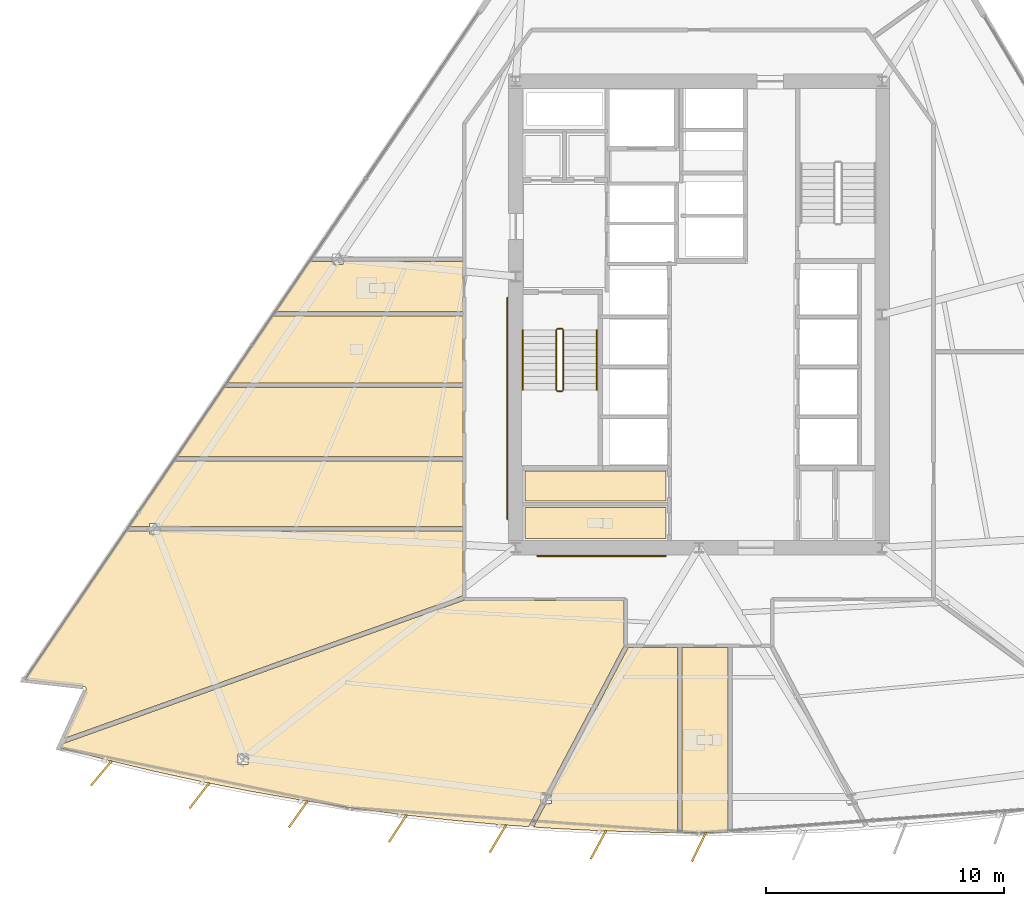
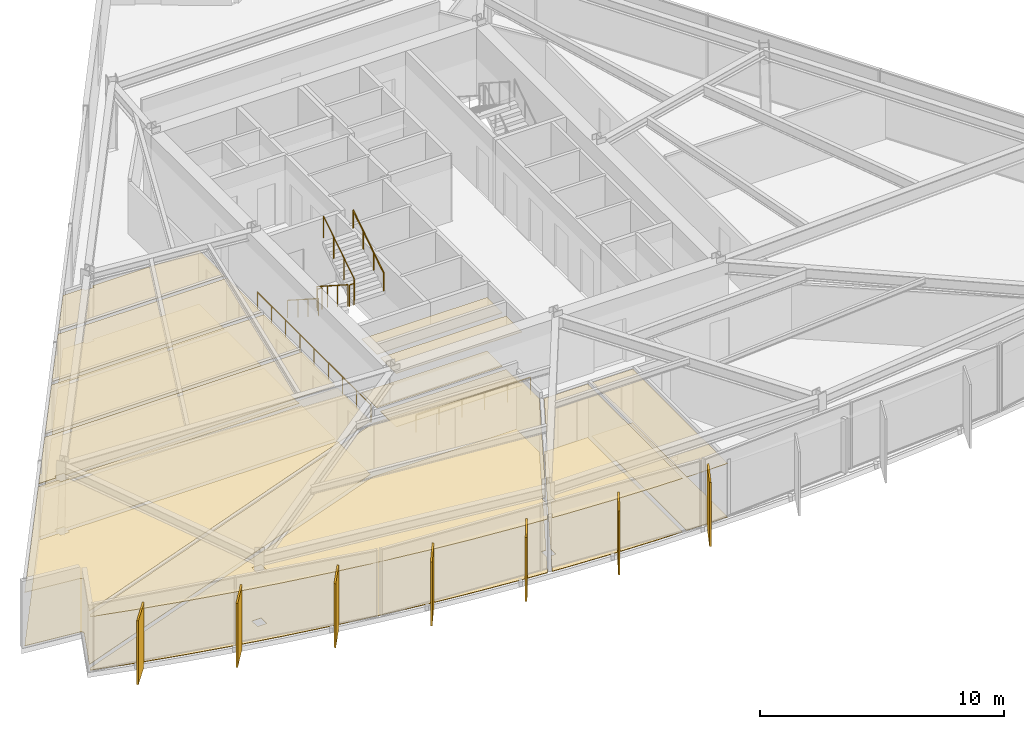
# One storey, part 11 of 15: 20 coverings, 8 railings, 7 shading devices.
"""IFC4 building model written with IfcOpenShell, lengths in metres."""

from ifc_helpers import new_model, si_unit, direction, frame, origin, origin_2d, place, context, subcontext, project, spatial, polyline, rectangle, circle, outline, extrude, material, layer, layer_set, type_object, element, save


model = new_model("IFC4")

# Units and contexts
model_context = context("Model", 3, precision=1e-05, world=origin(), true_north=direction((0.0, 1.0)))
body_context = subcontext(model_context, "Body", "Model", "MODEL_VIEW")
ifc_project = project(units=[si_unit("LENGTHUNIT", "METRE"), si_unit("AREAUNIT", "SQUARE_METRE"), si_unit("VOLUMEUNIT", "CUBIC_METRE"), si_unit("PLANEANGLEUNIT", "RADIAN"), si_unit("MASSUNIT", "GRAM", prefix="KILO")], contexts=[model_context])

# Site, building, storey
site_placement = place(None, origin())
site = spatial("IfcSite", under=ifc_project, at=site_placement, CompositionType="ELEMENT")
building_placement = place(site_placement, origin())
building = spatial("IfcBuilding", under=site, at=building_placement, Name="Savorim Split Tower", CompositionType="ELEMENT")
storey_placement = place(building_placement, frame((0.0, 0.0, 86.10009765625)))
storey = spatial("IfcBuildingStorey", under=building, at=storey_placement, Name="L22", CompositionType="ELEMENT", Elevation=86.10009765625)

# Coverings
ifc_material_1 = material(Name="Mineral Fibre Acoustic Ceiling")
ifc_layer_1 = layer(ifc_material_1, 0.02490234375)
ifc_layer_set_1 = layer_set([ifc_layer_1], Name="COV-CEIL-25")
covering_type_1 = type_object("IfcCoveringType", Name="COV-CEIL-25", PredefinedType="CEILING", material=ifc_layer_set_1)
covering_1_placement = place(storey_placement, frame((0.0, 0.0, 2.669921875)))
element("IfcCovering", 1, at=covering_1_placement, inside=storey, type_object=covering_type_1, Name="L22 Cleaning Store Acoustic Ceiling", PredefinedType="CEILING", context=body_context, shape_type="SweptSolid", body=[
    extrude(outline(polyline([(-7.320068359375, -6.179931640625), (-7.320068359375, -7.43994140625), (-1.3798828125, -7.43994140625), (-1.3798828125, -6.179931640625), (-7.320068359375, -6.179931640625)])), origin(), (0.0, 0.0, 1.0), 0.02490234375),
])
covering_2_placement = place(storey_placement, frame((0.0, 0.0, 2.669921875)))
element("IfcCovering", 2, at=covering_2_placement, inside=storey, type_object=covering_type_1, Name="L22 Public WC Acoustic Ceiling", PredefinedType="CEILING", context=body_context, shape_type="SweptSolid", body=[
    extrude(outline(polyline([(-7.320068359375, -7.719970703125), (-7.320068359375, -9.02001953125), (-1.3798828125, -9.02001953125), (-1.3798828125, -7.719970703125), (-7.320068359375, -7.719970703125)])), origin(), (0.0, 0.0, 1.0), 0.02490234375),
])
covering_3_placement = place(storey_placement, frame((0.0, 0.0, 2.669921875)))
element("IfcCovering", 3, at=covering_3_placement, inside=storey, type_object=covering_type_1, Name="L22 Shared Kitchen Acoustic Ceiling", PredefinedType="CEILING", context=body_context, shape_type="SweptSolid", body=[
    extrude(outline(polyline([(-17.9208984375, 0.341552734375), (-19.843017578125, -2.48388671875), (-9.919921875, -2.48388671875), (-9.919921875, 0.341552734375), (-17.9208984375, 0.341552734375)])), origin(), (0.0, 0.0, 1.0), 0.02490234375),
])
covering_4_placement = place(storey_placement, frame((0.0, 0.0, 2.669921875)))
element("IfcCovering", 4, at=covering_4_placement, inside=storey, type_object=covering_type_1, Name="L22 Co-Living Bedroom Acoustic Ceiling", PredefinedType="CEILING", context=body_context, shape_type="SweptSolid", body=[
    extrude(outline(polyline([(-19.972412109375, -2.673828125), (-21.945556640625, -5.574462890625), (-9.919921875, -5.574462890625), (-9.919921875, -2.673828125), (-19.972412109375, -2.673828125)])), origin(), (0.0, 0.0, 1.0), 0.02490234375),
])
covering_5_placement = place(storey_placement, frame((0.0, 0.0, 2.669921875)))
element("IfcCovering", 5, at=covering_5_placement, inside=storey, type_object=covering_type_1, Name="L22 Quiet Study Room Acoustic Ceiling", PredefinedType="CEILING", context=body_context, shape_type="SweptSolid", body=[
    extrude(outline(polyline([(-22.669921875, -8.386962890625), (-22.669921875, -8.514404296875), (-9.919921875, -8.514404296875), (-9.919921875, -5.764404296875), (-22.07470703125, -5.764404296875), (-23.945556640625, -8.514404296875), (-23.098876953125, -8.514404296875), (-23.098876953125, -8.386962890625), (-22.669921875, -8.386962890625)])), origin(), (0.0, 0.0, 1.0), 0.02490234375),
])
covering_6_placement = place(storey_placement, frame((0.0, 0.0, 2.669921875)))
element("IfcCovering", 6, at=covering_6_placement, inside=storey, type_object=covering_type_1, Name="L22 Maker Workshop Acoustic Ceiling", PredefinedType="CEILING", context=body_context, shape_type="SweptSolid", body=[
    extrude(outline(polyline([(-25.751708984375, -15.35107421875), (-25.752685546875, -15.36279296875), (-25.7548828125, -15.374755859375), (-25.758056640625, -15.385986328125), (-25.7626953125, -15.397216796875), (-26.69287109375, -17.422119140625), (-9.919921875, -11.421875), (-9.919921875, -8.704345703125), (-22.669921875, -8.704345703125), (-22.669921875, -8.831787109375), (-23.098876953125, -8.831787109375), (-23.098876953125, -8.704345703125), (-23.94970703125, -8.704345703125), (-24.044677734375, -8.704345703125), (-24.044677734375, -8.66015625), (-28.3251953125, -14.952392578125), (-25.8583984375, -15.227783203125), (-25.846435546875, -15.229736328125), (-25.8349609375, -15.23291015625), (-25.82373046875, -15.237060546875), (-25.81298828125, -15.2421875), (-25.802978515625, -15.248779296875), (-25.79345703125, -15.256103515625), (-25.784912109375, -15.26416015625), (-25.777099609375, -15.273193359375), (-25.770263671875, -15.282958984375), (-25.764404296875, -15.293212890625), (-25.759521484375, -15.30419921875), (-25.755859375, -15.315673828125), (-25.75341796875, -15.3271484375), (-25.751953125, -15.339111328125), (-25.751708984375, -15.35107421875)])), origin(), (0.0, 0.0, 1.0), 0.02490234375),
])
covering_7_placement = place(storey_placement, frame((0.0, 0.0, 2.669921875)))
element("IfcCovering", 7, at=covering_7_placement, inside=storey, type_object=covering_type_1, Name="L22 Co-Working Commons Acoustic Ceiling", PredefinedType="CEILING", context=body_context, shape_type="SweptSolid", body=[
    extrude(outline(polyline([(-9.820556640625, -11.614013671875), (-9.83349609375, -11.609375), (-9.845947265625, -11.603515625), (-9.8525390625, -11.599609375), (-26.8037109375, -17.66357421875), (-26.867919921875, -17.80322265625), (-24.9716796875, -18.29931640625), (-22.927490234375, -18.789306640625), (-20.873779296875, -19.237548828125), (-18.8115234375, -19.6435546875), (-16.7412109375, -20.00732421875), (-14.6640625, -20.32861328125), (-12.58056640625, -20.607421875), (-10.49169921875, -20.843505859375), (-8.398681640625, -21.036865234375), (-7.153076171875, -21.126220703125), (-7.15576171875, -21.124755859375), (-6.635498046875, -20.13818359375), (-6.635498046875, -19.712646484375), (-6.4111328125, -19.712646484375), (-3.14990234375, -13.529052734375), (-3.132080078125, -13.49560546875), (-3.134033203125, -13.490478515625), (-3.13720703125, -13.477294921875), (-3.139404296875, -13.463623046875), (-3.139892578125, -13.449951171875), (-3.139892578125, -11.6201171875), (-9.780029296875, -11.6201171875), (-9.793701171875, -11.619384765625), (-9.807373046875, -11.6171875), (-9.820556640625, -11.614013671875)]), holes=[polyline([(-19.372802734375, -18.522216796875), (-18.94384765625, -18.522216796875), (-18.94384765625, -18.0771484375), (-19.372802734375, -18.0771484375), (-19.372802734375, -18.522216796875)])]), origin(), (0.0, 0.0, 1.0), 0.02490234375),
])
covering_8_placement = place(storey_placement, frame((0.0, 0.0, 2.669921875)))
element("IfcCovering", 8, at=covering_8_placement, inside=storey, type_object=covering_type_1, Name="L22 Co-Living Bedroom Acoustic Ceiling", PredefinedType="CEILING", context=body_context, shape_type="SweptSolid", body=[
    extrude(outline(polyline([(-6.302001953125, -21.187255859375), (-4.202880859375, -21.294921875), (-2.101806640625, -21.359375), (-0.907470703125, -21.37158203125), (-0.907470703125, -13.590087890625), (-2.96728515625, -13.590087890625), (-6.20654296875, -19.73193359375), (-6.20654296875, -20.15771484375), (-6.430908203125, -20.15771484375), (-6.943603515625, -21.12939453125), (-6.949462890625, -21.140869140625), (-6.302001953125, -21.187255859375)])), origin(), (0.0, 0.0, 1.0), 0.02490234375),
])
covering_9_placement = place(storey_placement, frame((0.0, 0.0, 2.669921875)))
element("IfcCovering", 9, at=covering_9_placement, inside=storey, type_object=covering_type_1, Name="L22 Shared Bathroom Acoustic Ceiling", PredefinedType="CEILING", context=body_context, shape_type="SweptSolid", body=[
    extrude(outline(polyline([(-0.717529296875, -13.590087890625), (-0.717529296875, -21.37353515625), (0.0, -21.380859375), (1.216552734375, -21.368408203125), (1.216552734375, -13.590087890625), (-0.717529296875, -13.590087890625)])), origin(), (0.0, 0.0, 1.0), 0.02490234375),
])
covering_10_placement = place(storey_placement, frame((0.0, 0.0, 2.669921875)))
element("IfcCovering", 10, at=covering_10_placement, inside=storey, type_object=covering_type_1, Name="L22 Shared Bathroom Acoustic Ceiling", PredefinedType="CEILING", context=body_context, shape_type="SweptSolid", body=[
    extrude(outline(polyline([(-15.391357421875, 2.62548828125), (-16.2421875, 2.62548828125), (-16.337158203125, 2.62548828125), (-16.337158203125, 2.669677734375), (-17.791748046875, 0.531494140625), (-9.919921875, 0.531494140625), (-9.919921875, 2.62548828125), (-14.96240234375, 2.62548828125), (-14.96240234375, 2.498046875), (-15.391357421875, 2.498046875), (-15.391357421875, 2.62548828125)])), origin(), (0.0, 0.0, 1.0), 0.02490234375),
])
ifc_material_2 = material(Name="Porcelain Stoneware Flooring", Category="masonry")
ifc_layer_2 = layer(ifc_material_2, 0.02001953125)
ifc_layer_set_2 = layer_set([ifc_layer_2], Name="COV-FLOR-20")
covering_type_2 = type_object("IfcCoveringType", Name="COV-FLOR-20", PredefinedType="FLOORING", material=ifc_layer_set_2)
covering_11_placement = place(storey_placement, origin())
element("IfcCovering", 11, at=covering_11_placement, inside=storey, type_object=covering_type_2, Name="L22 Cleaning Store Porcelain Flooring", PredefinedType="FLOORING", context=body_context, shape_type="SweptSolid", body=[
    extrude(outline(polyline([(-7.320068359375, -6.179931640625), (-7.320068359375, -7.43994140625), (-1.3798828125, -7.43994140625), (-1.3798828125, -6.179931640625), (-7.320068359375, -6.179931640625)])), origin(), (0.0, 0.0, 1.0), 0.02001953125),
])
covering_12_placement = place(storey_placement, origin())
element("IfcCovering", 12, at=covering_12_placement, inside=storey, type_object=covering_type_2, Name="L22 Public WC Porcelain Flooring", PredefinedType="FLOORING", context=body_context, shape_type="SweptSolid", body=[
    extrude(outline(polyline([(-7.320068359375, -7.719970703125), (-7.320068359375, -9.02001953125), (-1.3798828125, -9.02001953125), (-1.3798828125, -7.719970703125), (-7.320068359375, -7.719970703125)])), origin(), (0.0, 0.0, 1.0), 0.02001953125),
])
covering_13_placement = place(storey_placement, origin())
element("IfcCovering", 13, at=covering_13_placement, inside=storey, type_object=covering_type_2, Name="L22 Shared Kitchen Porcelain Flooring", PredefinedType="FLOORING", context=body_context, shape_type="SweptSolid", body=[
    extrude(outline(polyline([(-17.9208984375, 0.341552734375), (-19.843017578125, -2.48388671875), (-9.919921875, -2.48388671875), (-9.919921875, 0.341552734375), (-17.9208984375, 0.341552734375)])), origin(), (0.0, 0.0, 1.0), 0.02001953125),
])
covering_14_placement = place(storey_placement, origin())
element("IfcCovering", 14, at=covering_14_placement, inside=storey, type_object=covering_type_2, Name="L22 Co-Living Bedroom Porcelain Flooring", PredefinedType="FLOORING", context=body_context, shape_type="SweptSolid", body=[
    extrude(outline(polyline([(-19.972412109375, -2.673828125), (-21.945556640625, -5.574462890625), (-9.919921875, -5.574462890625), (-9.919921875, -2.673828125), (-19.972412109375, -2.673828125)])), origin(), (0.0, 0.0, 1.0), 0.02001953125),
])
covering_15_placement = place(storey_placement, origin())
element("IfcCovering", 15, at=covering_15_placement, inside=storey, type_object=covering_type_2, Name="L22 Quiet Study Room Porcelain Flooring", PredefinedType="FLOORING", context=body_context, shape_type="SweptSolid", body=[
    extrude(outline(polyline([(-22.669921875, -8.386962890625), (-22.669921875, -8.514404296875), (-9.919921875, -8.514404296875), (-9.919921875, -5.764404296875), (-22.07470703125, -5.764404296875), (-23.945556640625, -8.514404296875), (-23.098876953125, -8.514404296875), (-23.098876953125, -8.386962890625), (-22.669921875, -8.386962890625)])), origin(), (0.0, 0.0, 1.0), 0.02001953125),
])
covering_16_placement = place(storey_placement, origin())
element("IfcCovering", 16, at=covering_16_placement, inside=storey, type_object=covering_type_2, Name="L22 Maker Workshop Porcelain Flooring", PredefinedType="FLOORING", context=body_context, shape_type="SweptSolid", body=[
    extrude(outline(polyline([(-25.751708984375, -15.35107421875), (-25.752685546875, -15.36279296875), (-25.7548828125, -15.374755859375), (-25.758056640625, -15.385986328125), (-25.7626953125, -15.397216796875), (-26.69287109375, -17.422119140625), (-9.919921875, -11.421875), (-9.919921875, -8.704345703125), (-22.669921875, -8.704345703125), (-22.669921875, -8.831787109375), (-23.098876953125, -8.831787109375), (-23.098876953125, -8.704345703125), (-23.94970703125, -8.704345703125), (-24.044677734375, -8.704345703125), (-24.044677734375, -8.66015625), (-28.3251953125, -14.952392578125), (-25.8583984375, -15.227783203125), (-25.846435546875, -15.229736328125), (-25.8349609375, -15.23291015625), (-25.82373046875, -15.237060546875), (-25.81298828125, -15.2421875), (-25.802978515625, -15.248779296875), (-25.79345703125, -15.256103515625), (-25.784912109375, -15.26416015625), (-25.777099609375, -15.273193359375), (-25.770263671875, -15.282958984375), (-25.764404296875, -15.293212890625), (-25.759521484375, -15.30419921875), (-25.755859375, -15.315673828125), (-25.75341796875, -15.3271484375), (-25.751953125, -15.339111328125), (-25.751708984375, -15.35107421875)])), origin(), (0.0, 0.0, 1.0), 0.02001953125),
])
covering_17_placement = place(storey_placement, origin())
element("IfcCovering", 17, at=covering_17_placement, inside=storey, type_object=covering_type_2, Name="L22 Co-Working Commons Porcelain Flooring", PredefinedType="FLOORING", context=body_context, shape_type="SweptSolid", body=[
    extrude(outline(polyline([(-9.820556640625, -11.614013671875), (-9.83349609375, -11.609375), (-9.845947265625, -11.603515625), (-9.8525390625, -11.599609375), (-26.8037109375, -17.66357421875), (-26.867919921875, -17.80322265625), (-24.9716796875, -18.29931640625), (-22.927490234375, -18.789306640625), (-20.873779296875, -19.237548828125), (-18.8115234375, -19.6435546875), (-16.7412109375, -20.00732421875), (-14.6640625, -20.32861328125), (-12.58056640625, -20.607421875), (-10.49169921875, -20.843505859375), (-8.398681640625, -21.036865234375), (-7.153076171875, -21.126220703125), (-7.15576171875, -21.124755859375), (-6.635498046875, -20.13818359375), (-6.635498046875, -19.712646484375), (-6.4111328125, -19.712646484375), (-3.14990234375, -13.529052734375), (-3.132080078125, -13.49560546875), (-3.134033203125, -13.490478515625), (-3.13720703125, -13.477294921875), (-3.139404296875, -13.463623046875), (-3.139892578125, -13.449951171875), (-3.139892578125, -11.6201171875), (-9.780029296875, -11.6201171875), (-9.793701171875, -11.619384765625), (-9.807373046875, -11.6171875), (-9.820556640625, -11.614013671875)]), holes=[polyline([(-19.372802734375, -18.522216796875), (-18.94384765625, -18.522216796875), (-18.94384765625, -18.0771484375), (-19.372802734375, -18.0771484375), (-19.372802734375, -18.522216796875)])]), origin(), (0.0, 0.0, 1.0), 0.02001953125),
])
covering_18_placement = place(storey_placement, origin())
element("IfcCovering", 18, at=covering_18_placement, inside=storey, type_object=covering_type_2, Name="L22 Co-Living Bedroom Porcelain Flooring", PredefinedType="FLOORING", context=body_context, shape_type="SweptSolid", body=[
    extrude(outline(polyline([(-6.302001953125, -21.187255859375), (-4.202880859375, -21.294921875), (-2.101806640625, -21.359375), (-0.907470703125, -21.37158203125), (-0.907470703125, -13.590087890625), (-2.96728515625, -13.590087890625), (-6.20654296875, -19.73193359375), (-6.20654296875, -20.15771484375), (-6.430908203125, -20.15771484375), (-6.943603515625, -21.12939453125), (-6.949462890625, -21.140869140625), (-6.302001953125, -21.187255859375)])), origin(), (0.0, 0.0, 1.0), 0.02001953125),
])
covering_19_placement = place(storey_placement, origin())
element("IfcCovering", 19, at=covering_19_placement, inside=storey, type_object=covering_type_2, Name="L22 Shared Bathroom Porcelain Flooring", PredefinedType="FLOORING", context=body_context, shape_type="SweptSolid", body=[
    extrude(outline(polyline([(-0.717529296875, -13.590087890625), (-0.717529296875, -21.37353515625), (0.0, -21.380859375), (1.216552734375, -21.368408203125), (1.216552734375, -13.590087890625), (-0.717529296875, -13.590087890625)])), origin(), (0.0, 0.0, 1.0), 0.02001953125),
])
covering_20_placement = place(storey_placement, origin())
element("IfcCovering", 20, at=covering_20_placement, inside=storey, type_object=covering_type_2, Name="L22 Shared Bathroom Porcelain Flooring", PredefinedType="FLOORING", context=body_context, shape_type="SweptSolid", body=[
    extrude(outline(polyline([(-15.391357421875, 2.62548828125), (-16.2421875, 2.62548828125), (-16.337158203125, 2.62548828125), (-16.337158203125, 2.669677734375), (-17.791748046875, 0.531494140625), (-9.919921875, 0.531494140625), (-9.919921875, 2.62548828125), (-14.96240234375, 2.62548828125), (-14.96240234375, 2.498046875), (-15.391357421875, 2.498046875), (-15.391357421875, 2.62548828125)])), origin(), (0.0, 0.0, 1.0), 0.02001953125),
])

# Railings
ifc_material_3 = material(Name="Galvanised Painted Steel Balustrade", Category="steel")
railing_type_1 = type_object("IfcRailingType", Name="RLG-HR-900", PredefinedType="HANDRAIL", material=ifc_material_3)
railing_1_placement = place(storey_placement, frame((-7.39990234375, -0.25, 0.179931640625)))
element("IfcRailing", 21, at=railing_1_placement, inside=storey, type_object=railing_type_1, Name="L22 ST-1 stair handrail 1", PredefinedType="HANDRAIL", context=body_context, shape_type="SweptSolid", body=[
    extrude(circle(Radius=0.02392578125, at=origin_2d()), frame((0.0, 0.0, 0.8759765625), z_axis=(0.0, -0.841199657755, 0.540724639528), x_axis=(1.0, 0.0, 0.0)), (0.0, 0.0, 1.0), 2.995849609375),
    extrude(circle(Radius=0.02099609375, at=origin_2d()), origin(), (0.0, 0.0, 1.0), 0.851806640625),
    extrude(circle(Radius=0.02099609375, at=origin_2d()), frame((0.0, -0.840087890625, 0.5400390625)), (0.0, 0.0, 1.0), 0.851806640625),
    extrude(circle(Radius=0.02099609375, at=origin_2d()), frame((0.0, -1.679931640625, 1.079833984375)), (0.0, 0.0, 1.0), 0.851806640625),
    extrude(circle(Radius=0.02099609375, at=origin_2d()), frame((0.0, -2.52001953125, 1.619873046875)), (0.0, 0.0, 1.0), 0.851806640625),
])
railing_2_placement = place(storey_placement, frame((-4.300048828125, -2.77001953125, 1.97998046875)))
element("IfcRailing", 22, at=railing_2_placement, inside=storey, type_object=railing_type_1, Name="L22 ST-1 stair handrail 2", PredefinedType="HANDRAIL", context=body_context, shape_type="SweptSolid", body=[
    extrude(circle(Radius=0.02392578125, at=origin_2d()), frame((0.0, 0.0, 0.8759765625), z_axis=(0.0, 0.841199657755, 0.540724639528), x_axis=(-1.0, 0.0, 0.0)), (0.0, 0.0, 1.0), 2.995849609375),
    extrude(circle(Radius=0.02099609375, at=origin_2d()), origin(), (0.0, 0.0, 1.0), 0.851806640625),
    extrude(circle(Radius=0.02099609375, at=origin_2d()), frame((0.0, 0.840087890625, 0.5400390625)), (0.0, 0.0, 1.0), 0.851806640625),
    extrude(circle(Radius=0.02099609375, at=origin_2d()), frame((0.0, 1.679931640625, 1.079833984375)), (0.0, 0.0, 1.0), 0.851806640625),
    extrude(circle(Radius=0.02099609375, at=origin_2d()), frame((0.0, 2.52001953125, 1.619873046875)), (0.0, 0.0, 1.0), 0.851806640625),
])
railing_3_placement = place(storey_placement, frame((-6.800048828125, -9.75, 0.0)))
element("IfcRailing", 23, at=railing_3_placement, inside=storey, type_object=railing_type_1, Name="L22 Corridor South Accessible Handrail", PredefinedType="HANDRAIL", context=body_context, shape_type="SweptSolid", body=[
    extrude(circle(Radius=0.02392578125, at=origin_2d()), frame((0.0, 0.0, 0.8759765625), z_axis=(1.0, 0.0, 0.0), x_axis=(0.0, 1.0, 0.0)), (0.0, 0.0, 1.0), 5.400146484375),
    extrude(circle(Radius=0.02099609375, at=origin_2d()), origin(), (0.0, 0.0, 1.0), 0.851806640625),
    extrude(circle(Radius=0.02099609375, at=origin_2d()), frame((1.080078125, 0.0, 0.0)), (0.0, 0.0, 1.0), 0.851806640625),
    extrude(circle(Radius=0.02099609375, at=origin_2d()), frame((2.16015625, 0.0, 0.0)), (0.0, 0.0, 1.0), 0.851806640625),
    extrude(circle(Radius=0.02099609375, at=origin_2d()), frame((3.239990234375, 0.0, 0.0)), (0.0, 0.0, 1.0), 0.851806640625),
    extrude(circle(Radius=0.02099609375, at=origin_2d()), frame((4.320068359375, 0.0, 0.0)), (0.0, 0.0, 1.0), 0.851806640625),
    extrude(circle(Radius=0.02099609375, at=origin_2d()), frame((5.400146484375, 0.0, 0.0)), (0.0, 0.0, 1.0), 0.851806640625),
])
railing_4_placement = place(storey_placement, frame((-8.050048828125, -8.199951171875, 0.0)))
element("IfcRailing", 24, at=railing_4_placement, inside=storey, type_object=railing_type_1, Name="L22 Corridor West Accessible Handrail", PredefinedType="HANDRAIL", context=body_context, shape_type="SweptSolid", body=[
    extrude(circle(Radius=0.02392578125, at=origin_2d()), frame((0.0, 0.0, 0.8759765625), z_axis=(0.0, 1.0, 0.0), x_axis=(-1.0, 0.0, 0.0)), (0.0, 0.0, 1.0), 9.300048828125),
    extrude(circle(Radius=0.02099609375, at=origin_2d()), origin(), (0.0, 0.0, 1.0), 0.851806640625),
    extrude(circle(Radius=0.02099609375, at=origin_2d()), frame((0.0, 1.16259765625, 0.0)), (0.0, 0.0, 1.0), 0.851806640625),
    extrude(circle(Radius=0.02099609375, at=origin_2d()), frame((0.0, 2.324951171875, 0.0)), (0.0, 0.0, 1.0), 0.851806640625),
    extrude(circle(Radius=0.02099609375, at=origin_2d()), frame((0.0, 3.487548828125, 0.0)), (0.0, 0.0, 1.0), 0.851806640625),
    extrude(circle(Radius=0.02099609375, at=origin_2d()), frame((0.0, 4.64990234375, 0.0)), (0.0, 0.0, 1.0), 0.851806640625),
    extrude(circle(Radius=0.02099609375, at=origin_2d()), frame((0.0, 5.8125, 0.0)), (0.0, 0.0, 1.0), 0.851806640625),
    extrude(circle(Radius=0.02099609375, at=origin_2d()), frame((0.0, 6.97509765625, 0.0)), (0.0, 0.0, 1.0), 0.851806640625),
    extrude(circle(Radius=0.02099609375, at=origin_2d()), frame((0.0, 8.137451171875, 0.0)), (0.0, 0.0, 1.0), 0.851806640625),
    extrude(circle(Radius=0.02099609375, at=origin_2d()), frame((0.0, 9.300048828125, 0.0)), (0.0, 0.0, 1.0), 0.851806640625),
])
railing_type_2 = type_object("IfcRailingType", Name="RLG-STG-1100", PredefinedType="BALUSTRADE", material=ifc_material_3)
railing_5_placement = place(storey_placement, frame((-6.0, -0.25, 0.179931640625)))
element("IfcRailing", 25, at=railing_5_placement, inside=storey, type_object=railing_type_2, Name="L22 ST-1 stair guard 1", PredefinedType="BALUSTRADE", context=body_context, shape_type="SweptSolid", body=[
    extrude(circle(Radius=0.02392578125, at=origin_2d()), frame((0.0, 0.0, 1.076171875), z_axis=(0.0, -0.841199657755, 0.540724639528), x_axis=(1.0, 0.0, 0.0)), (0.0, 0.0, 1.0), 2.995849609375),
    extrude(circle(Radius=0.02099609375, at=origin_2d()), origin(), (0.0, 0.0, 1.0), 1.052001953125),
    extrude(circle(Radius=0.02099609375, at=origin_2d()), frame((0.0, -0.840087890625, 0.5400390625)), (0.0, 0.0, 1.0), 1.052001953125),
    extrude(circle(Radius=0.02099609375, at=origin_2d()), frame((0.0, -1.679931640625, 1.079833984375)), (0.0, 0.0, 1.0), 1.052001953125),
    extrude(circle(Radius=0.02099609375, at=origin_2d()), frame((0.0, -2.52001953125, 1.619873046875)), (0.0, 0.0, 1.0), 1.052001953125),
])
railing_6_placement = place(storey_placement, frame((-5.949951171875, -2.820068359375, 1.7998046875)))
element("IfcRailing", 26, at=railing_6_placement, inside=storey, type_object=railing_type_2, Name="L22 ST-1 stair guard 2", PredefinedType="BALUSTRADE", context=body_context, shape_type="SweptSolid", body=[
    extrude(circle(Radius=0.02392578125, at=origin_2d()), frame((0.0, 0.0, 1.076171875), z_axis=(1.0, 0.0, 0.0), x_axis=(0.0, 1.0, 0.0)), (0.0, 0.0, 1.0), 0.199951171875),
    extrude(circle(Radius=0.02099609375, at=origin_2d()), origin(), (0.0, 0.0, 1.0), 1.052001953125),
    extrude(circle(Radius=0.02099609375, at=origin_2d()), frame((0.199951171875, 0.0, 0.0)), (0.0, 0.0, 1.0), 1.052001953125),
])
railing_7_placement = place(storey_placement, frame((-5.699951171875, -2.77001953125, 1.97998046875)))
element("IfcRailing", 27, at=railing_7_placement, inside=storey, type_object=railing_type_2, Name="L22 ST-1 stair guard 3", PredefinedType="BALUSTRADE", context=body_context, shape_type="SweptSolid", body=[
    extrude(circle(Radius=0.02392578125, at=origin_2d()), frame((0.0, 0.0, 1.076171875), z_axis=(0.0, 0.841199657755, 0.540724639528), x_axis=(-1.0, 0.0, 0.0)), (0.0, 0.0, 1.0), 2.995849609375),
    extrude(circle(Radius=0.02099609375, at=origin_2d()), origin(), (0.0, 0.0, 1.0), 1.052001953125),
    extrude(circle(Radius=0.02099609375, at=origin_2d()), frame((0.0, 0.840087890625, 0.5400390625)), (0.0, 0.0, 1.0), 1.052001953125),
    extrude(circle(Radius=0.02099609375, at=origin_2d()), frame((0.0, 1.679931640625, 1.079833984375)), (0.0, 0.0, 1.0), 1.052001953125),
    extrude(circle(Radius=0.02099609375, at=origin_2d()), frame((0.0, 2.52001953125, 1.619873046875)), (0.0, 0.0, 1.0), 1.052001953125),
])
railing_8_placement = place(storey_placement, frame((-5.949951171875, -0.199951171875, 0.0)))
element("IfcRailing", 28, at=railing_8_placement, inside=storey, type_object=railing_type_2, Name="L22 ST-1 stair guard 4", PredefinedType="BALUSTRADE", context=body_context, shape_type="SweptSolid", body=[
    extrude(circle(Radius=0.02392578125, at=origin_2d()), frame((0.0, 0.0, 1.076171875), z_axis=(1.0, 0.0, 0.0), x_axis=(0.0, 1.0, 0.0)), (0.0, 0.0, 1.0), 0.199951171875),
    extrude(circle(Radius=0.02099609375, at=origin_2d()), origin(), (0.0, 0.0, 1.0), 1.052001953125),
    extrude(circle(Radius=0.02099609375, at=origin_2d()), frame((0.199951171875, 0.0, 0.0)), (0.0, 0.0, 1.0), 1.052001953125),
])

# Shading devices
ifc_material_4 = material(Name="Terracotta Ceramic-Coated Aluminium Fin", Category="masonry")
shading_device_type = type_object("IfcShadingDeviceType", Name="SHD-FIN-1360", PredefinedType="USERDEFINED", material=ifc_material_4)
for number, where, z_axis, x_axis, name in (
    (29, (-25.116455078125, -18.87744140625, -0.2001953125), (0.0, 0.0, 1.0), (-0.643719022682, -0.765261928909, 0.0), "L22 Sawtooth Shading Fin 01"),
    (30, (-20.9951171875, -19.821044921875, -0.2001953125), (0.0, 0.0, 1.0), (-0.611868076908, -0.790959832394, 0.0), "L22 Sawtooth Shading Fin 02"),
    (31, (-16.83837890625, -20.595458984375, -0.2001953125), (0.0, 0.0, 1.0), (-0.578993757737, -0.815331974414, 0.0), "L22 Sawtooth Shading Fin 03"),
    (32, (-12.653564453125, -21.198974609375, -0.2001953125), (0.0, 0.0, 1.0), (-0.545148321708, -0.838339613366, 0.0), "L22 Sawtooth Shading Fin 04"),
    (33, (-8.447509765625, -21.630859375, -0.2001953125), (0.0, 0.0, 1.0), (-0.510391336723, -0.859942255851, 0.0), "L22 Sawtooth Shading Fin 05"),
    (34, (-4.227294921875, -21.890380859375, -0.2001953125), (0.0, 0.0, 1.0), (-0.474778051978, -0.880105562623, 0.0), "L22 Sawtooth Shading Fin 06"),
    (35, (0.0, -21.976806640625, -0.2001953125), (0.0, 0.0, 1.0), (-0.438371146789, -0.898794046299, 0.0), "L22 Sawtooth Shading Fin 07"),
):
    element("IfcShadingDevice", number, at=place(storey_placement, frame(where, z_axis=z_axis, x_axis=x_axis)), inside=storey, type_object=shading_device_type, Name=name, ObjectType="FIN", PredefinedType="USERDEFINED", context=body_context, shape_type="SweptSolid", body=[
        extrude(rectangle(XDim=1.360107421875, YDim=0.080078125, at=origin_2d()), origin(), (0.0, 0.0, 1.0), 3.199951171875),
    ])

save(model, "model.ifc")
